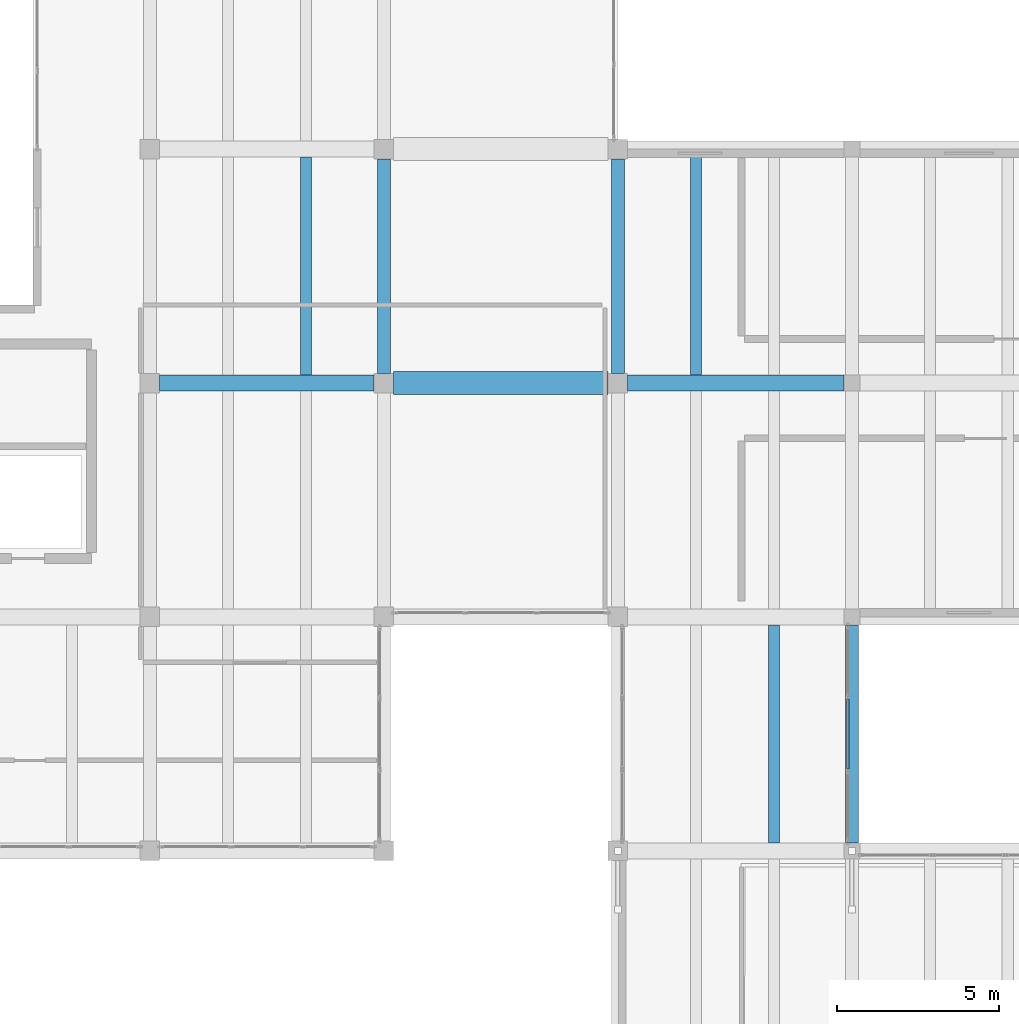
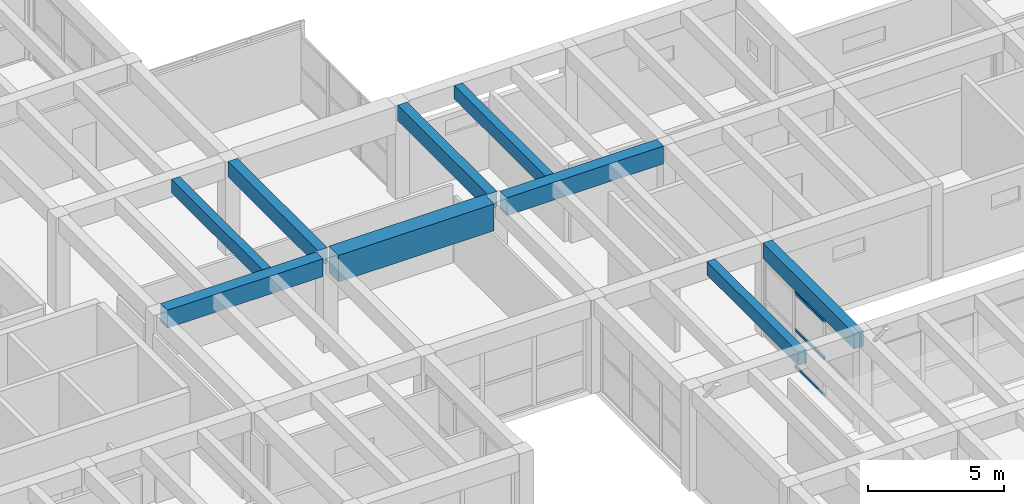
# One storey, part 75 of 153: 9 beams, 3 members, 1 element without a shape of its own.
"""IFC4 building model written with IfcOpenShell, lengths in metres."""

from ifc_helpers import new_model, si_unit, direction, frame, origin, origin_2d, place, context, subcontext, project, spatial, rectangle, hollow_rectangle, extrude, material, material_profile, profile_set, type_object, element, aggregate, save


model = new_model("IFC4")

# Units and contexts
model_context = context("Model", 3, precision=1e-05, world=origin(), true_north=direction((0.0, 1.0)))
body_context = subcontext(model_context, "Body", "Model", "MODEL_VIEW")
ifc_project = project(units=[si_unit("LENGTHUNIT", "METRE"), si_unit("AREAUNIT", "SQUARE_METRE"), si_unit("VOLUMEUNIT", "CUBIC_METRE"), si_unit("PLANEANGLEUNIT", "RADIAN"), si_unit("MASSUNIT", "GRAM", prefix="KILO")], contexts=[model_context])

# Site, building, storey
site_placement = place(None, origin())
site = spatial("IfcSite", under=ifc_project, at=site_placement, CompositionType="ELEMENT")
building_placement = place(site_placement, origin())
building = spatial("IfcBuilding", under=site, at=building_placement, Name="Bramvelor Terrace Health Centre", CompositionType="ELEMENT")
storey_placement = place(building_placement, frame((0.0, 0.0, 4.800048828125)))
storey = spatial("IfcBuildingStorey", under=building, at=storey_placement, Name="L02", CompositionType="ELEMENT", Elevation=4.800048828125)

# Beams
ifc_material_1 = material(Name="Concrete C40/50", Category="concrete")
ifc_material_profile_1 = material_profile(ifc_material_1, rectangle(XDim=0.39990234375, YDim=0.699951171875, at=origin_2d()), Name="RC 400x700")
ifc_profile_set_1 = profile_set([ifc_material_profile_1], Name="Concrete C40/50")
beam_type_1 = type_object("IfcBeamType", Name="BM-RC-G700", PredefinedType="BEAM", material=ifc_profile_set_1)
for number, where, z_axis, x_axis, name in (
    (1, (36.0, 93.89990234375, 3.849853515625), (0.0, 1.0, 0.0), (-1.0, 0.0, 0.0), "L02 Floor Girder"),
    (2, (43.199951171875, 93.89990234375, 3.849853515625), (0.0, 1.0, 0.0), (-1.0, 0.0, 0.0), "L02 Floor Girder"),
):
    element("IfcBeam", number, at=place(storey_placement, frame(where, z_axis=z_axis, x_axis=x_axis)), inside=storey, type_object=beam_type_1, Name=name, PredefinedType="BEAM", context=body_context, shape_type="SweptSolid", body=[
        extrude(rectangle(XDim=0.39990234375, YDim=0.699951171875, at=origin_2d()), origin(), (0.0, 0.0, 1.0), 6.60009765625),
    ])
beam_1_placement = place(storey_placement, frame((50.39990234375, 79.449951171875, 3.849853515625), z_axis=(0.0, 1.0, 0.0), x_axis=(-1.0, 0.0, 0.0)))
element("IfcBeam", 3, at=beam_1_placement, inside=storey, type_object=beam_type_1, Name="L02 Floor Girder", PredefinedType="BEAM", context=body_context, shape_type="SweptSolid", body=[
    extrude(rectangle(XDim=0.39990234375, YDim=0.699951171875, at=origin_2d()), origin(), (0.0, 0.0, 1.0), 6.699951171875),
])
ifc_material_2 = material(Name="Concrete C40/50", Category="concrete")
ifc_material_profile_2 = material_profile(ifc_material_2, rectangle(XDim=0.5, YDim=0.800048828125, at=origin_2d()), Name="RC 500x800")
ifc_profile_set_2 = profile_set([ifc_material_profile_2], Name="Concrete C40/50")
beam_type_2 = type_object("IfcBeamType", Name="BM-RC-G800", PredefinedType="BEAM", material=ifc_profile_set_2)
beam_2_placement = place(storey_placement, frame((29.10009765625, 93.60009765625, 3.800048828125), z_axis=(1.0, 0.0, 0.0), x_axis=(0.0, 1.0, 0.0)))
element("IfcBeam", 4, at=beam_2_placement, inside=storey, type_object=beam_type_2, Name="L02 Floor Girder", PredefinedType="BEAM", context=body_context, shape_type="SweptSolid", body=[
    extrude(rectangle(XDim=0.5, YDim=0.800048828125, at=origin_2d()), origin(), (0.0, 0.0, 1.0), 6.599853515625),
])
beam_3_placement = place(storey_placement, frame((43.5, 93.60009765625, 3.800048828125), z_axis=(1.0, 0.0, 0.0), x_axis=(0.0, 1.0, 0.0)))
element("IfcBeam", 5, at=beam_3_placement, inside=storey, type_object=beam_type_2, Name="L02 Floor Girder", PredefinedType="BEAM", context=body_context, shape_type="SweptSolid", body=[
    extrude(rectangle(XDim=0.5, YDim=0.800048828125, at=origin_2d()), origin(), (0.0, 0.0, 1.0), 6.64990234375),
])
ifc_material_3 = material(Name="Concrete C40/50", Category="concrete")
ifc_material_profile_3 = material_profile(ifc_material_3, rectangle(XDim=0.35009765625, YDim=0.60009765625, at=origin_2d()), Name="RC 350x600")
ifc_profile_set_3 = profile_set([ifc_material_profile_3], Name="Concrete C40/50")
beam_type_3 = type_object("IfcBeamType", Name="BM-RC-J600", PredefinedType="JOIST", material=ifc_profile_set_3)
for number, where, z_axis, x_axis, name in (
    (6, (33.60009765625, 93.85009765625, 3.89990234375), (0.0, 1.0, 0.0), (-1.0, 0.0, 0.0), "L02 Secondary Floor Joist"),
    (7, (48.0, 79.449951171875, 3.89990234375), (0.0, 1.0, 0.0), (-1.0, 0.0, 0.0), "L02 Secondary Floor Joist"),
    (8, (45.60009765625, 93.85009765625, 3.89990234375), (0.0, 1.0, 0.0), (-1.0, 0.0, 0.0), "L02 Secondary Floor Joist"),
):
    element("IfcBeam", number, at=place(storey_placement, frame(where, z_axis=z_axis, x_axis=x_axis)), inside=storey, type_object=beam_type_3, Name=name, PredefinedType="JOIST", context=body_context, shape_type="SweptSolid", body=[
        extrude(rectangle(XDim=0.35009765625, YDim=0.60009765625, at=origin_2d()), origin(), (0.0, 0.0, 1.0), 6.699951171875),
    ])
ifc_material_4 = material(Name="Concrete C40/50", Category="concrete")
ifc_material_profile_4 = material_profile(ifc_material_4, rectangle(XDim=0.699951171875, YDim=1.199951171875, at=origin_2d()), Name="RC 700x1200")
ifc_profile_set_4 = profile_set([ifc_material_profile_4], Name="Concrete C40/50")
beam_type_4 = type_object("IfcBeamType", Name="BM-RC-TG1200", PredefinedType="BEAM", material=ifc_profile_set_4)
beam_4_placement = place(storey_placement, frame((36.300048828125, 93.60009765625, 3.599853515625), z_axis=(1.0, 0.0, 0.0), x_axis=(0.0, 1.0, 0.0)))
element("IfcBeam", 9, at=beam_4_placement, inside=storey, type_object=beam_type_4, Name="L02 Half-Bay Setback Transfer Girder", PredefinedType="BEAM", context=body_context, shape_type="SweptSolid", body=[
    extrude(rectangle(XDim=0.699951171875, YDim=1.199951171875, at=origin_2d()), origin(), (0.0, 0.0, 1.0), 6.599853515625),
])

# Curtain wall, members
ifc_material_5 = material(Name="Anodized aluminium and double low-E glass", Category="aluminium")
curtain_wall_type = type_object("IfcCurtainWallType", Name="CW-SYS-16", PredefinedType="NOTDEFINED", material=ifc_material_5)
curtain_wall_placement = place(storey_placement, origin())
curtain_wall = element("IfcCurtainWall", 10, at=curtain_wall_placement, inside=storey, type_object=curtain_wall_type, Name="L02 Unitized Curtain Wall 90", PredefinedType="NOTDEFINED")
ifc_material_6 = material(Name="Anodized aluminium 6063-T6", Category="aluminium")
ifc_material_profile_5 = material_profile(ifc_material_6, hollow_rectangle(XDim=0.06494140625, YDim=0.1201171875, WallThickness=0.0029296875, at=origin_2d()), Name="ALU-TRN 65x120x3.0")
ifc_profile_set_5 = profile_set([ifc_material_profile_5], Name="Anodized aluminium 6063-T6")
member_type = type_object("IfcMemberType", Name="CW-TRN-65x150", PredefinedType="USERDEFINED", material=ifc_profile_set_5)
member_1_placement = place(storey_placement, frame((50.27001953125, 83.880859375, 0.032470703125), z_axis=(0.0, -1.0, 0.0), x_axis=(1.0, 0.0, 0.0)))
member_1 = element("IfcMember", 11, at=member_1_placement, type_object=member_type, Name="CW-16 transom 2.1", ObjectType="TRANSOM", PredefinedType="USERDEFINED", context=body_context, shape_type="SweptSolid", body=[
    extrude(hollow_rectangle(XDim=0.06494140625, YDim=0.1201171875, WallThickness=0.0029296875, at=origin_2d()), origin(), (0.0, 0.0, 1.0), 2.16162109375),
])
member_2_placement = place(storey_placement, frame((50.27001953125, 83.880859375, 1.679931640625), z_axis=(0.0, -1.0, 0.0), x_axis=(1.0, 0.0, 0.0)))
member_2 = element("IfcMember", 12, at=member_2_placement, type_object=member_type, Name="CW-16 transom 2.2", ObjectType="TRANSOM", PredefinedType="USERDEFINED", context=body_context, shape_type="SweptSolid", body=[
    extrude(hollow_rectangle(XDim=0.06494140625, YDim=0.1201171875, WallThickness=0.0029296875, at=origin_2d()), origin(), (0.0, 0.0, 1.0), 2.16162109375),
])
member_3_placement = place(storey_placement, frame((50.27001953125, 83.880859375, 3.327392578125), z_axis=(0.0, -1.0, 0.0), x_axis=(1.0, 0.0, 0.0)))
member_3 = element("IfcMember", 13, at=member_3_placement, type_object=member_type, Name="CW-16 transom 2.3", ObjectType="TRANSOM", PredefinedType="USERDEFINED", context=body_context, shape_type="SweptSolid", body=[
    extrude(hollow_rectangle(XDim=0.06494140625, YDim=0.1201171875, WallThickness=0.0029296875, at=origin_2d()), origin(), (0.0, 0.0, 1.0), 2.16162109375),
])
aggregate(curtain_wall, [member_1, member_2, member_3])

save(model, "model.ifc")
